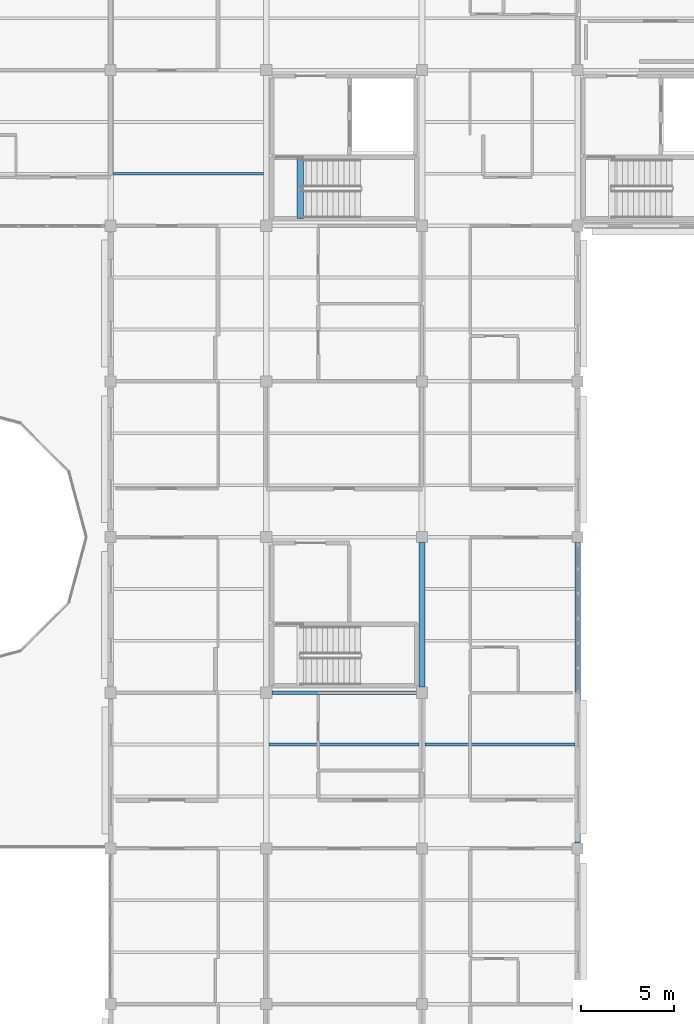
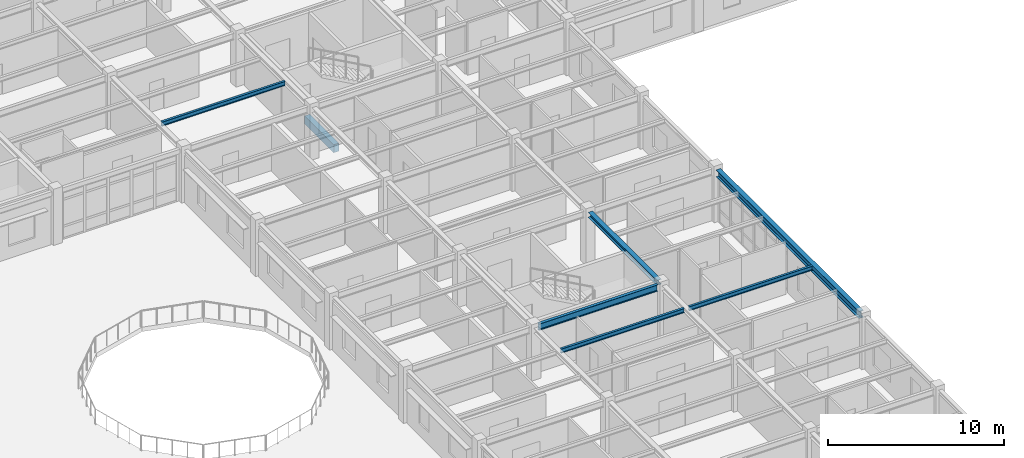
# One storey, part 20 of 86: 7 beams.
"""IFC4 building model written with IfcOpenShell, lengths in metres."""

from ifc_helpers import new_model, si_unit, direction, frame, origin, origin_2d, place, context, subcontext, project, spatial, rectangle, i_section, extrude, material, material_profile, profile_set, type_object, element, save


model = new_model("IFC4")

# Units and contexts
model_context = context("Model", 3, precision=1e-05, world=origin(), true_north=direction((0.0, 1.0)))
body_context = subcontext(model_context, "Body", "Model", "MODEL_VIEW")
ifc_project = project(units=[si_unit("LENGTHUNIT", "METRE"), si_unit("AREAUNIT", "SQUARE_METRE"), si_unit("VOLUMEUNIT", "CUBIC_METRE"), si_unit("PLANEANGLEUNIT", "RADIAN"), si_unit("MASSUNIT", "GRAM", prefix="KILO")], contexts=[model_context])

# Site, building, storey
site_placement = place(None, origin())
site = spatial("IfcSite", under=ifc_project, at=site_placement, CompositionType="ELEMENT")
building_placement = place(site_placement, origin())
building = spatial("IfcBuilding", under=site, at=building_placement, Name="Bramfleet General Hospital", CompositionType="ELEMENT")
storey_placement = place(building_placement, frame((0.0, 0.0, 18.60009765625)))
storey = spatial("IfcBuildingStorey", under=building, at=storey_placement, Name="L04", CompositionType="ELEMENT", Elevation=18.60009765625)

# Beams
ifc_material_1 = material(Name="Steel S355", Category="steel")
ifc_material_profile_1 = material_profile(ifc_material_1, i_section(OverallWidth=0.300048828125, OverallDepth=0.35009765625, WebThickness=0.010009765625, FlangeThickness=0.017578125, FilletRadius=0.027099609375, at=origin_2d()), Name="HEA 360")
ifc_profile_set_1 = profile_set([ifc_material_profile_1], Name="Steel S355")
beam_type_1 = type_object("IfcBeamType", Name="BM-HEA360", PredefinedType="BEAM", material=ifc_profile_set_1)
beam_1_placement = place(storey_placement, frame((109.199951171875, 67.5, 3.44482421875), z_axis=(0.0, 1.0, 0.0), x_axis=(-1.0, 0.0, 0.0)))
element("IfcBeam", 1, at=beam_1_placement, inside=storey, type_object=beam_type_1, Name="L04 Grid Beam Y 13-08", PredefinedType="BEAM", context=body_context, shape_type="SweptSolid", body=[
    extrude(i_section(OverallWidth=0.300048828125, OverallDepth=0.35009765625, WebThickness=0.010009765625, FlangeThickness=0.017578125, FilletRadius=0.027099609375, at=origin_2d()), origin(), (0.0, 0.0, 1.0), 7.800048828125),
])
ifc_material_profile_2 = material_profile(ifc_material_1, i_section(OverallWidth=0.300048828125, OverallDepth=0.5, WebThickness=0.014404296875, FlangeThickness=0.028076171875, FilletRadius=0.027099609375, at=origin_2d()), Name="HEB 500")
ifc_profile_set_2 = profile_set([ifc_material_profile_2], Name="Steel S355")
beam_type_2 = type_object("IfcBeamType", Name="BM-HEB500", PredefinedType="BEAM", material=ifc_profile_set_2)
beam_2_placement = place(storey_placement, frame((117.60009765625, 59.10009765625, 3.369873046875), z_axis=(0.0, 1.0, 0.0), x_axis=(-1.0, 0.0, 0.0)))
element("IfcBeam", 2, at=beam_2_placement, inside=storey, type_object=beam_type_2, Name="L04 Long-Span Edge Girder Y 14-07..09", PredefinedType="BEAM", context=body_context, shape_type="SweptSolid", body=[
    extrude(i_section(OverallWidth=0.300048828125, OverallDepth=0.5, WebThickness=0.014404296875, FlangeThickness=0.028076171875, FilletRadius=0.027099609375, at=origin_2d()), origin(), (0.0, 0.0, 1.0), 16.199951171875),
])
ifc_material_profile_3 = material_profile(ifc_material_1, i_section(OverallWidth=0.14990234375, OverallDepth=0.300048828125, WebThickness=0.007080078125, FlangeThickness=0.0107421875, FilletRadius=0.014892578125, at=origin_2d()), Name="IPE 300")
ifc_profile_set_3 = profile_set([ifc_material_profile_3], Name="Steel S355")
beam_type_3 = type_object("IfcBeamType", Name="BM-IPE300", PredefinedType="JOIST", material=ifc_profile_set_3)
beam_3_placement = place(storey_placement, frame((92.550048828125, 95.199951171875, 3.469970703125), z_axis=(1.0, 0.0, 0.0), x_axis=(0.0, 1.0, 0.0)))
element("IfcBeam", 3, at=beam_3_placement, inside=storey, type_object=beam_type_3, Name="L04 Secondary Joist 11-11-1", PredefinedType="JOIST", context=body_context, shape_type="SweptSolid", body=[
    extrude(i_section(OverallWidth=0.14990234375, OverallDepth=0.300048828125, WebThickness=0.007080078125, FlangeThickness=0.0107421875, FilletRadius=0.014892578125, at=origin_2d()), origin(), (0.0, 0.0, 1.0), 8.099853515625),
])
beam_4_placement = place(storey_placement, frame((100.949951171875, 64.39990234375, 3.469970703125), z_axis=(1.0, 0.0, 0.0), x_axis=(0.0, 1.0, 0.0)))
element("IfcBeam", 4, at=beam_4_placement, inside=storey, type_object=beam_type_3, Name="L04 Secondary Joist 12-07-2", PredefinedType="JOIST", context=body_context, shape_type="SweptSolid", body=[
    extrude(i_section(OverallWidth=0.14990234375, OverallDepth=0.300048828125, WebThickness=0.007080078125, FlangeThickness=0.0107421875, FilletRadius=0.014892578125, at=origin_2d()), origin(), (0.0, 0.0, 1.0), 8.10009765625),
])
beam_5_placement = place(storey_placement, frame((109.35009765625, 64.39990234375, 3.469970703125), z_axis=(1.0, 0.0, 0.0), x_axis=(0.0, 1.0, 0.0)))
element("IfcBeam", 5, at=beam_5_placement, inside=storey, type_object=beam_type_3, Name="L04 Secondary Joist 13-07-2", PredefinedType="JOIST", context=body_context, shape_type="SweptSolid", body=[
    extrude(i_section(OverallWidth=0.14990234375, OverallDepth=0.300048828125, WebThickness=0.007080078125, FlangeThickness=0.0107421875, FilletRadius=0.014892578125, at=origin_2d()), origin(), (0.0, 0.0, 1.0), 8.099853515625),
])
ifc_material_profile_4 = material_profile(ifc_material_1, i_section(OverallWidth=0.18994140625, OverallDepth=0.449951171875, WebThickness=0.009521484375, FlangeThickness=0.0146484375, FilletRadius=0.02099609375, at=origin_2d()), Name="IPE 450")
ifc_profile_set_4 = profile_set([ifc_material_profile_4], Name="Steel S355")
beam_type_4 = type_object("IfcBeamType", Name="BM-IPE450", PredefinedType="BEAM", material=ifc_profile_set_4)
beam_6_placement = place(storey_placement, frame((101.10009765625, 67.199951171875, 3.39501953125), z_axis=(1.0, 0.0, 0.0), x_axis=(0.0, 1.0, 0.0)))
element("IfcBeam", 6, at=beam_6_placement, inside=storey, type_object=beam_type_4, Name="L04 Grid Beam X 12-08", PredefinedType="BEAM", context=body_context, shape_type="SweptSolid", body=[
    extrude(i_section(OverallWidth=0.18994140625, OverallDepth=0.449951171875, WebThickness=0.009521484375, FlangeThickness=0.0146484375, FilletRadius=0.02099609375, at=origin_2d()), origin(), (0.0, 0.0, 1.0), 7.7998046875),
])
ifc_material_2 = material(Name="Concrete C35/45", Category="concrete")
ifc_material_profile_5 = material_profile(ifc_material_2, rectangle(XDim=0.35009765625, YDim=0.550048828125, at=origin_2d()), Name="RC BM 550x350")
ifc_profile_set_5 = profile_set([ifc_material_profile_5], Name="Concrete C35/45")
beam_type_5 = type_object("IfcBeamType", Name="BM-RC550", PredefinedType="BEAM", material=ifc_profile_set_5)
beam_7_placement = place(storey_placement, frame((102.639892578125, 92.780029296875, -0.275146484375), z_axis=(0.0, 1.0, 0.0), x_axis=(-1.0, 0.0, 0.0)))
element("IfcBeam", 7, at=beam_7_placement, inside=storey, type_object=beam_type_5, Name="L04 C4 Stairwell Trimmer Beam", PredefinedType="BEAM", context=body_context, shape_type="SweptSolid", body=[
    extrude(rectangle(XDim=0.35009765625, YDim=0.550048828125, at=origin_2d()), origin(), (0.0, 0.0, 1.0), 3.320068359375),
])

save(model, "model.ifc")
